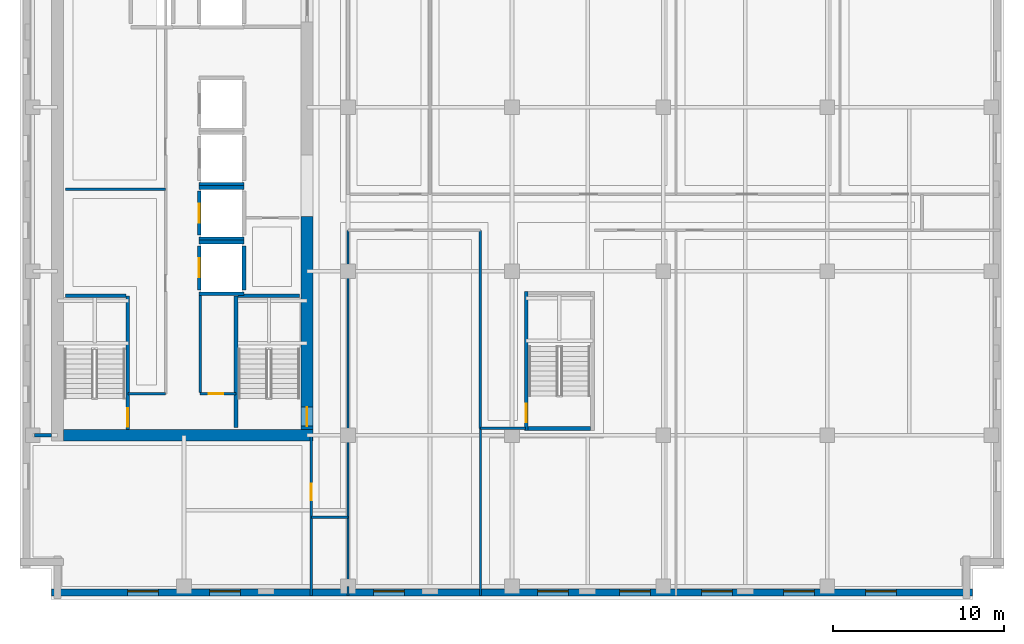
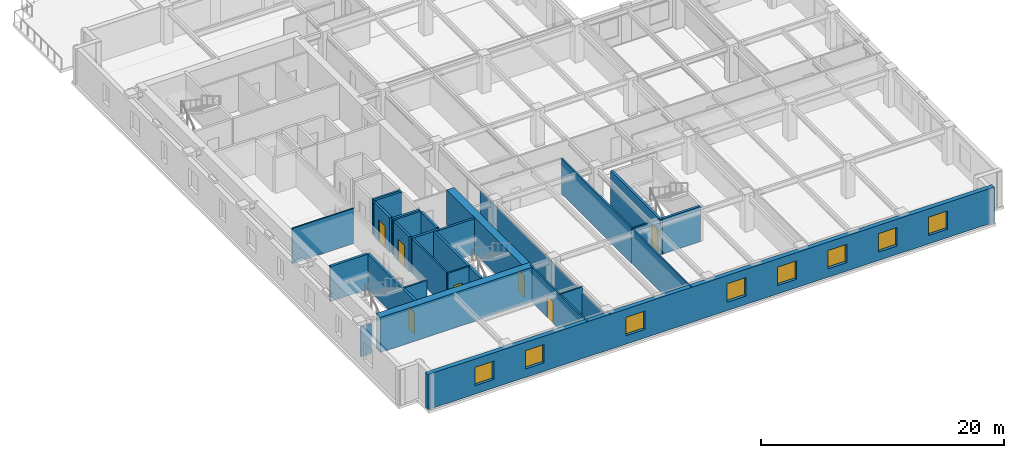
# One storey, part 3 of 12: 29 walls, 8 windows, 7 doors, 15 openings.
"""IFC4 building model written with IfcOpenShell, lengths in metres."""

from ifc_helpers import new_model, si_unit, direction, frame, frame_2d, origin, place, context, subcontext, project, spatial, rectangle, extrude, material, layer, layer_set, type_object, element, fill, save


model = new_model("IFC4")

# Units and contexts
model_context = context("Model", 3, precision=1e-05, world=origin(), true_north=direction((0.0, 1.0)))
body_context = subcontext(model_context, "Body", "Model", "MODEL_VIEW")
ifc_project = project(units=[si_unit("LENGTHUNIT", "METRE"), si_unit("AREAUNIT", "SQUARE_METRE"), si_unit("VOLUMEUNIT", "CUBIC_METRE"), si_unit("PLANEANGLEUNIT", "RADIAN"), si_unit("MASSUNIT", "GRAM", prefix="KILO")], contexts=[model_context])

# Site, building, storey
site_placement = place(None, origin())
site = spatial("IfcSite", under=ifc_project, at=site_placement, CompositionType="ELEMENT")
building_placement = place(site_placement, origin())
building = spatial("IfcBuilding", under=site, at=building_placement, Name="Norrvale University Quadrangle", CompositionType="ELEMENT")
storey_placement = place(building_placement, frame((0.0, 0.0, 199.0)))
storey = spatial("IfcBuildingStorey", under=building, at=storey_placement, Name="L50", CompositionType="ELEMENT", Elevation=199.0)

# Wall, openings, windows
ifc_material_1 = material(Name="Buff Norman Clay Brick Masonry", Category="masonry")
ifc_layer_1 = layer(ifc_material_1, 0.419921875, Name="Buff Norman Clay Brick Masonry")
ifc_layer_set_1 = layer_set([ifc_layer_1], Name="Buff Norman Clay Brick Masonry")
wall_type_1 = type_object("IfcWallType", Name="Wall Buff Brick 420", PredefinedType="SOLIDWALL", material=ifc_layer_set_1)
wall_1_placement = place(storey_placement, frame((1.840087890625, 0.389892578125, 0.0), z_axis=(0.0, 0.0, 1.0), x_axis=(1.0, 0.0, 0.0)))
wall_1 = element("IfcWall", 1, at=wall_1_placement, inside=storey, type_object=wall_type_1, Name="Exterior Brick Facade Wall L50-01.1", PredefinedType="SOLIDWALL", context=body_context, shape_type="SweptSolid", body=[
    extrude(rectangle(XDim=53.919921875, YDim=0.419921875, at=frame_2d((26.9599609375, 0.0))), origin(), (0.0, 0.0, 1.0), 3.5400390625),
])
opening_1_placement = place(wall_1_placement, frame((4.4599609375, 0.0, 0.85009765625)))
opening_1 = element("IfcOpeningElement", 2, at=opening_1_placement, cuts=wall_1, Name="Opening W01", PredefinedType="OPENING", context=body_context, shape_type="SweptSolid", body=[
    extrude(rectangle(XDim=1.800048828125, YDim=1.85009765625, at=frame_2d((0.89990234375, 0.925048828125))), frame((0.0, 0.221923828125, 0.0), z_axis=(0.0, -1.0, 0.0), x_axis=(1.0, 0.0, 0.0)), (0.0, 0.0, 1.0), 0.44384765625),
])
opening_2_placement = place(wall_1_placement, frame((9.260009765625, 0.0, 0.85009765625)))
opening_2 = element("IfcOpeningElement", 3, at=opening_2_placement, cuts=wall_1, Name="Opening W01", PredefinedType="OPENING", context=body_context, shape_type="SweptSolid", body=[
    extrude(rectangle(XDim=1.800048828125, YDim=1.85009765625, at=frame_2d((0.89990234375, 0.925048828125))), frame((0.0, 0.221923828125, 0.0), z_axis=(0.0, -1.0, 0.0), x_axis=(1.0, 0.0, 0.0)), (0.0, 0.0, 1.0), 0.44384765625),
])
opening_3_placement = place(wall_1_placement, frame((18.860107421875, 0.0, 0.85009765625)))
opening_3 = element("IfcOpeningElement", 4, at=opening_3_placement, cuts=wall_1, Name="Opening W01", PredefinedType="OPENING", context=body_context, shape_type="SweptSolid", body=[
    extrude(rectangle(XDim=1.800048828125, YDim=1.85009765625, at=frame_2d((0.89990234375, 0.925048828125))), frame((0.0, 0.221923828125, 0.0), z_axis=(0.0, -1.0, 0.0), x_axis=(1.0, 0.0, 0.0)), (0.0, 0.0, 1.0), 0.44384765625),
])
opening_4_placement = place(wall_1_placement, frame((28.4599609375, 0.0, 0.85009765625)))
opening_4 = element("IfcOpeningElement", 5, at=opening_4_placement, cuts=wall_1, Name="Opening W01", PredefinedType="OPENING", context=body_context, shape_type="SweptSolid", body=[
    extrude(rectangle(XDim=1.800048828125, YDim=1.85009765625, at=frame_2d((0.89990234375, 0.925048828125))), frame((0.0, 0.221923828125, 0.0), z_axis=(0.0, -1.0, 0.0), x_axis=(1.0, 0.0, 0.0)), (0.0, 0.0, 1.0), 0.44384765625),
])
opening_5_placement = place(wall_1_placement, frame((33.260009765625, 0.0, 0.85009765625)))
opening_5 = element("IfcOpeningElement", 6, at=opening_5_placement, cuts=wall_1, Name="Opening W01", PredefinedType="OPENING", context=body_context, shape_type="SweptSolid", body=[
    extrude(rectangle(XDim=1.800048828125, YDim=1.85009765625, at=frame_2d((0.89990234375, 0.925048828125))), frame((0.0, 0.221923828125, 0.0), z_axis=(0.0, -1.0, 0.0), x_axis=(1.0, 0.0, 0.0)), (0.0, 0.0, 1.0), 0.44384765625),
])
opening_6_placement = place(wall_1_placement, frame((38.06005859375, 0.0, 0.85009765625)))
opening_6 = element("IfcOpeningElement", 7, at=opening_6_placement, cuts=wall_1, Name="Opening W01", PredefinedType="OPENING", context=body_context, shape_type="SweptSolid", body=[
    extrude(rectangle(XDim=1.800048828125, YDim=1.85009765625, at=frame_2d((0.89990234375, 0.925048828125))), frame((0.0, 0.221923828125, 0.0), z_axis=(0.0, -1.0, 0.0), x_axis=(1.0, 0.0, 0.0)), (0.0, 0.0, 1.0), 0.44384765625),
])
opening_7_placement = place(wall_1_placement, frame((42.860107421875, 0.0, 0.85009765625)))
opening_7 = element("IfcOpeningElement", 8, at=opening_7_placement, cuts=wall_1, Name="Opening W01", PredefinedType="OPENING", context=body_context, shape_type="SweptSolid", body=[
    extrude(rectangle(XDim=1.800048828125, YDim=1.85009765625, at=frame_2d((0.89990234375, 0.925048828125))), frame((0.0, 0.221923828125, 0.0), z_axis=(0.0, -1.0, 0.0), x_axis=(1.0, 0.0, 0.0)), (0.0, 0.0, 1.0), 0.44384765625),
])
opening_8_placement = place(wall_1_placement, frame((47.659912109375, 0.0, 0.85009765625)))
opening_8 = element("IfcOpeningElement", 9, at=opening_8_placement, cuts=wall_1, Name="Opening W01", PredefinedType="OPENING", context=body_context, shape_type="SweptSolid", body=[
    extrude(rectangle(XDim=1.800048828125, YDim=1.85009765625, at=frame_2d((0.89990234375, 0.925048828125))), frame((0.0, 0.221923828125, 0.0), z_axis=(0.0, -1.0, 0.0), x_axis=(1.0, 0.0, 0.0)), (0.0, 0.0, 1.0), 0.44384765625),
])
ifc_material_2 = material(Name="Triple Low-E Argon Glazing", Category="glass")
window_type = type_object("IfcWindowType", Name="Window Academic 1800x2300", PartitioningType="DOUBLE_PANEL_VERTICAL", PredefinedType="WINDOW", material=ifc_material_2)
window_1_placement = place(opening_1_placement, origin())
window_1 = element("IfcWindow", 10, at=window_1_placement, inside=storey, type_object=window_type, Name="Window Academic 1800x2300 WIN-L50-E01-1-01", OverallHeight=1.85009765625, OverallWidth=1.800048828125, PartitioningType="DOUBLE_PANEL_VERTICAL", PredefinedType="WINDOW", context=body_context, shape_type="SweptSolid", body=[
    extrude(rectangle(XDim=1.800048828125, YDim=1.85009765625, at=frame_2d((0.89990234375, 0.925048828125))), frame((0.0, 0.110107421875, 0.0), z_axis=(0.0, -1.0, 0.0), x_axis=(1.0, 0.0, 0.0)), (0.0, 0.0, 1.0), 0.06005859375),
])
fill(opening_1, window_1)
window_2_placement = place(opening_2_placement, origin())
window_2 = element("IfcWindow", 11, at=window_2_placement, inside=storey, type_object=window_type, Name="Window Academic 1800x2300 WIN-L50-E01-1-02", OverallHeight=1.85009765625, OverallWidth=1.800048828125, PartitioningType="DOUBLE_PANEL_VERTICAL", PredefinedType="WINDOW", context=body_context, shape_type="SweptSolid", body=[
    extrude(rectangle(XDim=1.800048828125, YDim=1.85009765625, at=frame_2d((0.89990234375, 0.925048828125))), frame((0.0, 0.110107421875, 0.0), z_axis=(0.0, -1.0, 0.0), x_axis=(1.0, 0.0, 0.0)), (0.0, 0.0, 1.0), 0.06005859375),
])
fill(opening_2, window_2)
window_3_placement = place(opening_3_placement, origin())
window_3 = element("IfcWindow", 12, at=window_3_placement, inside=storey, type_object=window_type, Name="Window Academic 1800x2300 WIN-L50-E01-1-03", OverallHeight=1.85009765625, OverallWidth=1.800048828125, PartitioningType="DOUBLE_PANEL_VERTICAL", PredefinedType="WINDOW", context=body_context, shape_type="SweptSolid", body=[
    extrude(rectangle(XDim=1.800048828125, YDim=1.85009765625, at=frame_2d((0.89990234375, 0.925048828125))), frame((0.0, 0.110107421875, 0.0), z_axis=(0.0, -1.0, 0.0), x_axis=(1.0, 0.0, 0.0)), (0.0, 0.0, 1.0), 0.06005859375),
])
fill(opening_3, window_3)
window_4_placement = place(opening_4_placement, origin())
window_4 = element("IfcWindow", 13, at=window_4_placement, inside=storey, type_object=window_type, Name="Window Academic 1800x2300 WIN-L50-E01-1-04", OverallHeight=1.85009765625, OverallWidth=1.800048828125, PartitioningType="DOUBLE_PANEL_VERTICAL", PredefinedType="WINDOW", context=body_context, shape_type="SweptSolid", body=[
    extrude(rectangle(XDim=1.800048828125, YDim=1.85009765625, at=frame_2d((0.89990234375, 0.925048828125))), frame((0.0, 0.110107421875, 0.0), z_axis=(0.0, -1.0, 0.0), x_axis=(1.0, 0.0, 0.0)), (0.0, 0.0, 1.0), 0.06005859375),
])
fill(opening_4, window_4)
window_5_placement = place(opening_5_placement, origin())
window_5 = element("IfcWindow", 14, at=window_5_placement, inside=storey, type_object=window_type, Name="Window Academic 1800x2300 WIN-L50-E01-1-05", OverallHeight=1.85009765625, OverallWidth=1.800048828125, PartitioningType="DOUBLE_PANEL_VERTICAL", PredefinedType="WINDOW", context=body_context, shape_type="SweptSolid", body=[
    extrude(rectangle(XDim=1.800048828125, YDim=1.85009765625, at=frame_2d((0.89990234375, 0.925048828125))), frame((0.0, 0.110107421875, 0.0), z_axis=(0.0, -1.0, 0.0), x_axis=(1.0, 0.0, 0.0)), (0.0, 0.0, 1.0), 0.06005859375),
])
fill(opening_5, window_5)
window_6_placement = place(opening_6_placement, origin())
window_6 = element("IfcWindow", 15, at=window_6_placement, inside=storey, type_object=window_type, Name="Window Academic 1800x2300 WIN-L50-E01-1-06", OverallHeight=1.85009765625, OverallWidth=1.800048828125, PartitioningType="DOUBLE_PANEL_VERTICAL", PredefinedType="WINDOW", context=body_context, shape_type="SweptSolid", body=[
    extrude(rectangle(XDim=1.800048828125, YDim=1.85009765625, at=frame_2d((0.89990234375, 0.925048828125))), frame((0.0, 0.110107421875, 0.0), z_axis=(0.0, -1.0, 0.0), x_axis=(1.0, 0.0, 0.0)), (0.0, 0.0, 1.0), 0.06005859375),
])
fill(opening_6, window_6)
window_7_placement = place(opening_7_placement, origin())
window_7 = element("IfcWindow", 16, at=window_7_placement, inside=storey, type_object=window_type, Name="Window Academic 1800x2300 WIN-L50-E01-1-07", OverallHeight=1.85009765625, OverallWidth=1.800048828125, PartitioningType="DOUBLE_PANEL_VERTICAL", PredefinedType="WINDOW", context=body_context, shape_type="SweptSolid", body=[
    extrude(rectangle(XDim=1.800048828125, YDim=1.85009765625, at=frame_2d((0.89990234375, 0.925048828125))), frame((0.0, 0.110107421875, 0.0), z_axis=(0.0, -1.0, 0.0), x_axis=(1.0, 0.0, 0.0)), (0.0, 0.0, 1.0), 0.06005859375),
])
fill(opening_7, window_7)
window_8_placement = place(opening_8_placement, origin())
window_8 = element("IfcWindow", 17, at=window_8_placement, inside=storey, type_object=window_type, Name="Window Academic 1800x2300 WIN-L50-E01-1-08", OverallHeight=1.85009765625, OverallWidth=1.800048828125, PartitioningType="DOUBLE_PANEL_VERTICAL", PredefinedType="WINDOW", context=body_context, shape_type="SweptSolid", body=[
    extrude(rectangle(XDim=1.800048828125, YDim=1.85009765625, at=frame_2d((0.89990234375, 0.925048828125))), frame((0.0, 0.110107421875, 0.0), z_axis=(0.0, -1.0, 0.0), x_axis=(1.0, 0.0, 0.0)), (0.0, 0.0, 1.0), 0.06005859375),
])
fill(opening_8, window_8)

# Wall
ifc_material_3 = material(Name="Concrete C60/75", Category="concrete")
ifc_layer_2 = layer(ifc_material_3, 0.699951171875, Name="Concrete C60/75")
ifc_layer_set_2 = layer_set([ifc_layer_2], Name="Concrete C60/75")
wall_type_2 = type_object("IfcWallType", Name="Wall Core 700", PredefinedType="SHEAR", material=ifc_layer_set_2)
wall_2_placement = place(storey_placement, frame((2.550048828125, 9.60009765625, 0.0), z_axis=(0.0, 0.0, 1.0), x_axis=(1.0, 0.0, 0.0)))
element("IfcWall", 18, at=wall_2_placement, inside=storey, type_object=wall_type_2, Name="Tower Core Shear Wall L50-S", PredefinedType="SHEAR", context=body_context, shape_type="SweptSolid", body=[
    extrude(rectangle(XDim=14.599853515625, YDim=0.699951171875, at=frame_2d((7.2998046875, 0.0))), origin(), (0.0, 0.0, 1.0), 3.5400390625),
])

# Wall, opening, door
wall_3_placement = place(storey_placement, frame((16.800048828125, 9.949951171875, 0.0), z_axis=(0.0, 0.0, 1.0), x_axis=(0.0, 1.0, 0.0)))
wall_3 = element("IfcWall", 19, at=wall_3_placement, inside=storey, type_object=wall_type_2, Name="Tower Core Shear Wall L50-E1", PredefinedType="SHEAR", context=body_context, shape_type="SweptSolid", body=[
    extrude(rectangle(XDim=12.449951171875, YDim=0.699951171875, at=frame_2d((6.22509765625, 0.0))), origin(), (0.0, 0.0, 1.0), 3.5400390625),
])
opening_9_placement = place(wall_3_placement, frame((0.18994140625, 0.0, 0.0)))
opening_9 = element("IfcOpeningElement", 20, at=opening_9_placement, cuts=wall_3, Name="Opening D02", PredefinedType="OPENING", context=body_context, shape_type="SweptSolid", body=[
    extrude(rectangle(XDim=1.10009765625, YDim=2.199951171875, at=frame_2d((0.550048828125, 1.10009765625))), frame((0.0, 0.362060546875, 0.0), z_axis=(0.0, -1.0, 0.0), x_axis=(1.0, 0.0, 0.0)), (0.0, 0.0, 1.0), 0.723876953125),
])
ifc_material_4 = material(Name="Hollow Steel 350W Fire Door", Category="steel")
door_type_1 = type_object("IfcDoorType", Name="Door Stair Exit 1100x2200", OperationType="NOTDEFINED", PredefinedType="DOOR", material=ifc_material_4)
door_1_placement = place(opening_9_placement, origin())
door_1 = element("IfcDoor", 21, at=door_1_placement, inside=storey, type_object=door_type_1, Name="Door Stair Exit 1100x2200 DR-L50-ST03", OperationType="SINGLE_SWING_LEFT", OverallHeight=2.199951171875, OverallWidth=1.10009765625, PredefinedType="DOOR", context=body_context, shape_type="SweptSolid", body=[
    extrude(rectangle(XDim=1.10009765625, YDim=2.199951171875, at=frame_2d((0.550048828125, 1.10009765625))), frame((0.0, 0.02490234375, 0.0), z_axis=(0.0, -1.0, 0.0), x_axis=(1.0, 0.0, 0.0)), (0.0, 0.0, 1.0), 0.050048828125),
])
fill(opening_9, door_1)

# Walls
ifc_material_5 = material(Name="Standard Academic Gypsum Partition")
ifc_layer_3 = layer(ifc_material_5, 0.125, Name="Standard Academic Gypsum Partition")
ifc_layer_set_3 = layer_set([ifc_layer_3], Name="Standard Academic Gypsum Partition")
wall_type_3 = type_object("IfcWallType", Name="Wall Gypsum Academic 125", PredefinedType="PARTITIONING", material=ifc_layer_set_3)
wall_4_placement = place(storey_placement, frame((2.64990234375, 24.0, 0.0), z_axis=(0.0, 0.0, 1.0), x_axis=(1.0, 0.0, 0.0)))
element("IfcWall", 22, at=wall_4_placement, inside=storey, type_object=wall_type_3, Name="Interior Partition WL-L50-REC-M", PredefinedType="PARTITIONING", context=body_context, shape_type="SweptSolid", body=[
    extrude(rectangle(XDim=5.8701171875, YDim=0.125, at=frame_2d((2.93505859375, 0.0))), origin(), (0.0, 0.0, 1.0), 3.5400390625),
])
wall_5_placement = place(storey_placement, frame((19.199951171875, 0.219970703125, 0.0), z_axis=(0.0, 0.0, 1.0), x_axis=(0.0, 1.0, 0.0)))
element("IfcWall", 23, at=wall_5_placement, inside=storey, type_object=wall_type_3, Name="Interior Partition WL-L50-SE-W0", PredefinedType="PARTITIONING", context=body_context, shape_type="SweptSolid", body=[
    extrude(rectangle(XDim=0.530029296875, YDim=0.125, at=frame_2d((0.26513671875, 0.0))), origin(), (0.0, 0.0, 1.0), 3.5400390625),
])
wall_6_placement = place(storey_placement, frame((19.199951171875, 0.75, 0.0), z_axis=(0.0, 0.0, 1.0), x_axis=(0.0, 1.0, 0.0)))
element("IfcWall", 24, at=wall_6_placement, inside=storey, type_object=wall_type_3, Name="Interior Partition WL-L50-SE-W0-B2", PredefinedType="PARTITIONING", context=body_context, shape_type="SweptSolid", body=[
    extrude(rectangle(XDim=20.85009765625, YDim=0.125, at=frame_2d((10.425048828125, 0.0))), origin(), (0.0, 0.0, 1.0), 2.99609375),
])
wall_7_placement = place(storey_placement, frame((26.949951171875, 0.219970703125, 0.0), z_axis=(0.0, 0.0, 1.0), x_axis=(0.0, 1.0, 0.0)))
element("IfcWall", 25, at=wall_7_placement, inside=storey, type_object=wall_type_3, Name="Interior Partition WL-L50-SEP1A", PredefinedType="PARTITIONING", context=body_context, shape_type="SweptSolid", body=[
    extrude(rectangle(XDim=9.780029296875, YDim=0.125, at=frame_2d((4.89013671875, 0.0))), origin(), (0.0, 0.0, 1.0), 3.5400390625),
])

# Wall, opening, door
ifc_material_6 = material(Name="Fire-Rated Gypsum Stud Partition")
ifc_layer_4 = layer(ifc_material_6, 0.14990234375, Name="Fire-Rated Gypsum Stud Partition")
ifc_layer_set_4 = layer_set([ifc_layer_4], Name="Fire-Rated Gypsum Stud Partition")
wall_type_4 = type_object("IfcWallType", Name="Wall Gypsum Corridor 150", PredefinedType="PARTITIONING", material=ifc_layer_set_4)
wall_8_placement = place(storey_placement, frame((10.550048828125, 12.02001953125, 0.0), z_axis=(0.0, 0.0, 1.0), x_axis=(1.0, 0.0, 0.0)))
wall_8 = element("IfcWall", 26, at=wall_8_placement, inside=storey, type_object=wall_type_4, Name="Interior Partition WL-L50-SC-NR", PredefinedType="PARTITIONING", context=body_context, shape_type="SweptSolid", body=[
    extrude(rectangle(XDim=2.079833984375, YDim=0.14990234375, at=frame_2d((1.0400390625, 0.0))), origin(), (0.0, 0.0, 1.0), 3.5400390625),
])
opening_10_placement = place(wall_8_placement, frame((0.5, 0.0, 0.0)))
opening_10 = element("IfcOpeningElement", 27, at=opening_10_placement, cuts=wall_8, Name="Opening D10", PredefinedType="OPENING", context=body_context, shape_type="SweptSolid", body=[
    extrude(rectangle(XDim=0.85009765625, YDim=2.10009765625, at=frame_2d((0.425048828125, 1.050048828125))), frame((0.0, 0.0869140625, 0.0), z_axis=(0.0, -1.0, 0.0), x_axis=(1.0, 0.0, 0.0)), (0.0, 0.0, 1.0), 0.173828125),
])
ifc_material_7 = material(Name="Hollow Steel 350W Riser Fire Door", Category="steel")
door_type_2 = type_object("IfcDoorType", Name="Door Riser 850x2100", OperationType="NOTDEFINED", PredefinedType="DOOR", material=ifc_material_7)
door_2_placement = place(opening_10_placement, origin())
door_2 = element("IfcDoor", 28, at=door_2_placement, inside=storey, type_object=door_type_2, Name="Door Riser 850x2100 DR-L50-IDF", OperationType="SINGLE_SWING_RIGHT", OverallHeight=2.10009765625, OverallWidth=0.85009765625, PredefinedType="DOOR", context=body_context, shape_type="SweptSolid", body=[
    extrude(rectangle(XDim=0.85009765625, YDim=2.10009765625, at=frame_2d((0.425048828125, 1.050048828125))), frame((0.0, 0.02490234375, 0.0), z_axis=(0.0, -1.0, 0.0), x_axis=(1.0, 0.0, 0.0)), (0.0, 0.0, 1.0), 0.050048828125),
])
fill(opening_10, door_2)

# Walls
wall_9_placement = place(storey_placement, frame((10.550048828125, 12.094970703125, 0.0), z_axis=(0.0, 0.0, 1.0), x_axis=(0.0, 1.0, 0.0)))
element("IfcWall", 29, at=wall_9_placement, inside=storey, type_object=wall_type_4, Name="Interior Partition WL-L50-SC-WR", PredefinedType="PARTITIONING", context=body_context, shape_type="SweptSolid", body=[
    extrude(rectangle(XDim=5.679931640625, YDim=0.14990234375, at=frame_2d((2.83984375, 0.0))), origin(), (0.0, 0.0, 1.0), 3.5400390625),
])
wall_10_placement = place(storey_placement, frame((6.320068359375, 12.02001953125, 0.0), z_axis=(0.0, 0.0, 1.0), x_axis=(1.0, 0.0, 0.0)))
element("IfcWall", 30, at=wall_10_placement, inside=storey, type_object=wall_type_4, Name="Interior Partition WL-L50-REC-S", PredefinedType="PARTITIONING", context=body_context, shape_type="SweptSolid", body=[
    extrude(rectangle(XDim=2.199951171875, YDim=0.14990234375, at=frame_2d((1.10009765625, 0.0))), origin(), (0.0, 0.0, 1.0), 3.5400390625),
])
wall_11_placement = place(storey_placement, frame((17.050048828125, 4.800048828125, 0.0), z_axis=(0.0, 0.0, 1.0), x_axis=(1.0, 0.0, 0.0)))
element("IfcWall", 31, at=wall_11_placement, inside=storey, type_object=wall_type_4, Name="Interior Partition WL-L50-CSP-S", PredefinedType="PARTITIONING", context=body_context, shape_type="SweptSolid", body=[
    extrude(rectangle(XDim=2.14990234375, YDim=0.14990234375, at=frame_2d((1.074951171875, 0.0))), origin(), (0.0, 0.0, 1.0), 3.5400390625),
])

# Wall, opening, door
wall_12_placement = place(storey_placement, frame((17.050048828125, 0.219970703125, 0.0), z_axis=(0.0, 0.0, 1.0), x_axis=(0.0, 1.0, 0.0)))
wall_12 = element("IfcWall", 32, at=wall_12_placement, inside=storey, type_object=wall_type_4, Name="Interior Partition WL-L50-SW-E", PredefinedType="PARTITIONING", context=body_context, shape_type="SweptSolid", body=[
    extrude(rectangle(XDim=9.380126953125, YDim=0.14990234375, at=frame_2d((4.68994140625, 0.0))), origin(), (0.0, 0.0, 1.0), 3.5400390625),
])
opening_11_placement = place(wall_12_placement, frame((5.580078125, 0.0, 0.0)))
opening_11 = element("IfcOpeningElement", 33, at=opening_11_placement, cuts=wall_12, Name="Opening D07", PredefinedType="OPENING", context=body_context, shape_type="SweptSolid", body=[
    extrude(rectangle(XDim=0.949951171875, YDim=2.14990234375, at=frame_2d((0.47509765625, 1.074951171875))), frame((0.0, 0.0869140625, 0.0), z_axis=(0.0, -1.0, 0.0), x_axis=(1.0, 0.0, 0.0)), (0.0, 0.0, 1.0), 0.173828125),
])
ifc_material_8 = material(Name="Solid-Core Maple Door", Category="wood")
door_type_3 = type_object("IfcDoorType", Name="Door Office 950x2150", OperationType="NOTDEFINED", PredefinedType="DOOR", material=ifc_material_8)
door_3_placement = place(opening_11_placement, origin())
door_3 = element("IfcDoor", 34, at=door_3_placement, inside=storey, type_object=door_type_3, Name="Door Office 950x2150 DR-L50-SW1", OperationType="SINGLE_SWING_LEFT", OverallHeight=2.14990234375, OverallWidth=0.949951171875, PredefinedType="DOOR", context=body_context, shape_type="SweptSolid", body=[
    extrude(rectangle(XDim=0.949951171875, YDim=2.14990234375, at=frame_2d((0.47509765625, 1.074951171875))), frame((0.0, 0.02490234375, 0.0), z_axis=(0.0, -1.0, 0.0), x_axis=(1.0, 0.0, 0.0)), (0.0, 0.0, 1.0), 0.050048828125),
])
fill(opening_11, door_3)

# Walls
wall_13_placement = place(storey_placement, frame((26.949951171875, 10.0, 0.0), z_axis=(0.0, 0.0, 1.0), x_axis=(0.0, 1.0, 0.0)))
element("IfcWall", 35, at=wall_13_placement, inside=storey, type_object=wall_type_4, Name="Interior Partition WL-L50-SEP1B", PredefinedType="PARTITIONING", context=body_context, shape_type="SweptSolid", body=[
    extrude(rectangle(XDim=11.60009765625, YDim=0.14990234375, at=frame_2d((5.800048828125, 0.0))), origin(), (0.0, 0.0, 1.0), 3.5400390625),
])
wall_14_placement = place(storey_placement, frame((26.949951171875, 10.0, 0.0), z_axis=(0.0, 0.0, 1.0), x_axis=(1.0, 0.0, 0.0)))
element("IfcWall", 36, at=wall_14_placement, inside=storey, type_object=wall_type_4, Name="Interior Partition WL-L50-SEP1C", PredefinedType="PARTITIONING", context=body_context, shape_type="SweptSolid", body=[
    extrude(rectangle(XDim=2.630126953125, YDim=0.14990234375, at=frame_2d((1.31494140625, 0.0))), origin(), (0.0, 0.0, 1.0), 3.5400390625),
])
ifc_material_9 = material(Name="Concrete Blockwork 20 MPa Rated Wall", Category="masonry")
ifc_layer_5 = layer(ifc_material_9, 0.199951171875, Name="Concrete Blockwork 20 MPa Rated Wall")
ifc_layer_set_5 = layer_set([ifc_layer_5], Name="Concrete Blockwork 20 MPa Rated Wall")
wall_type_5 = type_object("IfcWallType", Name="Wall Lobby 200", PredefinedType="SOLIDWALL", material=ifc_layer_set_5)
wall_15_placement = place(storey_placement, frame((0.85009765625, 9.60009765625, 0.0), z_axis=(0.0, 0.0, 1.0), x_axis=(1.0, 0.0, 0.0)))
element("IfcWall", 37, at=wall_15_placement, inside=storey, type_object=wall_type_5, Name="Interior Partition WL-L50-CWRET-S", PredefinedType="SOLIDWALL", context=body_context, shape_type="SweptSolid", body=[
    extrude(rectangle(XDim=0.994873046875, YDim=0.199951171875, at=frame_2d((0.49755859375, 0.0))), origin(), (0.0, 0.0, 1.0), 2.99609375),
])

# Wall, opening, door
ifc_material_10 = material(Name="Concrete Blockwork 20 MPa Fire Shaft", Category="masonry")
ifc_layer_6 = layer(ifc_material_10, 0.219970703125, Name="Concrete Blockwork 20 MPa Fire Shaft")
ifc_layer_set_6 = layer_set([ifc_layer_6], Name="Concrete Blockwork 20 MPa Fire Shaft")
wall_type_6 = type_object("IfcWallType", Name="Wall Shaft 220", PredefinedType="SOLIDWALL", material=ifc_layer_set_6)
wall_16_placement = place(storey_placement, frame((6.31005859375, 9.949951171875, 0.0), z_axis=(0.0, 0.0, 1.0), x_axis=(0.0, 1.0, 0.0)))
wall_16 = element("IfcWall", 38, at=wall_16_placement, inside=storey, type_object=wall_type_6, Name="Stair ST-01 East Shaft Wall L50", PredefinedType="SOLIDWALL", context=body_context, shape_type="SweptSolid", body=[
    extrude(rectangle(XDim=7.81005859375, YDim=0.219970703125, at=frame_2d((3.905029296875, 0.0))), origin(), (0.0, 0.0, 1.0), 3.5400390625),
])
opening_12_placement = place(wall_16_placement, frame((0.139892578125, 0.0, 0.0)))
opening_12 = element("IfcOpeningElement", 39, at=opening_12_placement, cuts=wall_16, Name="Opening D02", PredefinedType="OPENING", context=body_context, shape_type="SweptSolid", body=[
    extrude(rectangle(XDim=1.10009765625, YDim=2.199951171875, at=frame_2d((0.550048828125, 1.10009765625))), frame((0.0, 0.1220703125, 0.0), z_axis=(0.0, -1.0, 0.0), x_axis=(1.0, 0.0, 0.0)), (0.0, 0.0, 1.0), 0.243896484375),
])
door_4_placement = place(opening_12_placement, origin())
door_4 = element("IfcDoor", 40, at=door_4_placement, inside=storey, type_object=door_type_1, Name="Door Stair Exit 1100x2200 DR-L50-ST01", OperationType="SINGLE_SWING_LEFT", OverallHeight=2.199951171875, OverallWidth=1.10009765625, PredefinedType="DOOR", context=body_context, shape_type="SweptSolid", body=[
    extrude(rectangle(XDim=1.10009765625, YDim=2.199951171875, at=frame_2d((0.550048828125, 1.10009765625))), frame((0.0, 0.02490234375, 0.0), z_axis=(0.0, -1.0, 0.0), x_axis=(1.0, 0.0, 0.0)), (0.0, 0.0, 1.0), 0.050048828125),
])
fill(opening_12, door_4)

# Walls
wall_17_placement = place(storey_placement, frame((2.64990234375, 17.760009765625, 0.0), z_axis=(0.0, 0.0, 1.0), x_axis=(1.0, 0.0, 0.0)))
element("IfcWall", 41, at=wall_17_placement, inside=storey, type_object=wall_type_6, Name="Stair ST-01 North Shaft Wall L50", PredefinedType="SOLIDWALL", context=body_context, shape_type="SweptSolid", body=[
    extrude(rectangle(XDim=3.550048828125, YDim=0.219970703125, at=frame_2d((1.77490234375, 0.0))), origin(), (0.0, 0.0, 1.0), 3.5400390625),
])
wall_18_placement = place(storey_placement, frame((12.639892578125, 10.050048828125, 0.0), z_axis=(0.0, 0.0, 1.0), x_axis=(0.0, 1.0, 0.0)))
element("IfcWall", 42, at=wall_18_placement, inside=storey, type_object=wall_type_6, Name="Stair ST-03 West Shaft Wall L50", PredefinedType="SOLIDWALL", context=body_context, shape_type="SweptSolid", body=[
    extrude(rectangle(XDim=7.7099609375, YDim=0.219970703125, at=frame_2d((3.85498046875, 0.0))), origin(), (0.0, 0.0, 1.0), 3.5400390625),
])
wall_19_placement = place(storey_placement, frame((12.75, 17.760009765625, 0.0), z_axis=(0.0, 0.0, 1.0), x_axis=(1.0, 0.0, 0.0)))
element("IfcWall", 43, at=wall_19_placement, inside=storey, type_object=wall_type_6, Name="Stair ST-03 North Shaft Wall L50", PredefinedType="SOLIDWALL", context=body_context, shape_type="SweptSolid", body=[
    extrude(rectangle(XDim=3.60009765625, YDim=0.219970703125, at=frame_2d((1.800048828125, 0.0))), origin(), (0.0, 0.0, 1.0), 3.5400390625),
])
wall_20_placement = place(storey_placement, frame((29.75, 9.989990234375, 0.0), z_axis=(0.0, 0.0, 1.0), x_axis=(1.0, 0.0, 0.0)))
element("IfcWall", 44, at=wall_20_placement, inside=storey, type_object=wall_type_6, Name="Stair ST-04 South Shaft Wall L50", PredefinedType="SOLIDWALL", context=body_context, shape_type="SweptSolid", body=[
    extrude(rectangle(XDim=3.64990234375, YDim=0.219970703125, at=frame_2d((1.824951171875, 0.0))), origin(), (0.0, 0.0, 1.0), 3.5400390625),
])

# Wall, opening, door
wall_21_placement = place(storey_placement, frame((29.639892578125, 9.8798828125, 0.0), z_axis=(0.0, 0.0, 1.0), x_axis=(0.0, 1.0, 0.0)))
wall_21 = element("IfcWall", 45, at=wall_21_placement, inside=storey, type_object=wall_type_6, Name="Stair ST-04 West Shaft Wall L50", PredefinedType="SOLIDWALL", context=body_context, shape_type="SweptSolid", body=[
    extrude(rectangle(XDim=8.14013671875, YDim=0.219970703125, at=frame_2d((4.070068359375, 0.0))), origin(), (0.0, 0.0, 1.0), 3.5400390625),
])
opening_13_placement = place(wall_21_placement, frame((0.469970703125, 0.0, 0.0)))
opening_13 = element("IfcOpeningElement", 46, at=opening_13_placement, cuts=wall_21, Name="Opening D02", PredefinedType="OPENING", context=body_context, shape_type="SweptSolid", body=[
    extrude(rectangle(XDim=1.10009765625, YDim=2.199951171875, at=frame_2d((0.550048828125, 1.10009765625))), frame((0.0, 0.1220703125, 0.0), z_axis=(0.0, -1.0, 0.0), x_axis=(1.0, 0.0, 0.0)), (0.0, 0.0, 1.0), 0.243896484375),
])
door_5_placement = place(opening_13_placement, frame((1.10009765625, 0.0, 0.0), z_axis=(0.0, 0.0, 1.0), x_axis=(-1.0, 0.0, 0.0)))
door_5 = element("IfcDoor", 47, at=door_5_placement, inside=storey, type_object=door_type_1, Name="Door Stair Exit 1100x2200 DR-L50-ST04", OperationType="SINGLE_SWING_RIGHT", OverallHeight=2.199951171875, OverallWidth=1.10009765625, PredefinedType="DOOR", context=body_context, shape_type="SweptSolid", body=[
    extrude(rectangle(XDim=1.10009765625, YDim=2.199951171875, at=frame_2d((0.550048828125, 1.10009765625))), frame((0.0, 0.02490234375, 0.0), z_axis=(0.0, -1.0, 0.0), x_axis=(1.0, 0.0, 0.0)), (0.0, 0.0, 1.0), 0.050048828125),
])
fill(opening_13, door_5)

wall_22_placement = place(storey_placement, frame((10.489990234375, 18.110107421875, 0.0), z_axis=(0.0, 0.0, 1.0), x_axis=(0.0, 1.0, 0.0)))
wall_22 = element("IfcWall", 48, at=wall_22_placement, inside=storey, type_object=wall_type_6, Name="Hoistway PL-05 West Wall L50", PredefinedType="SOLIDWALL", context=body_context, shape_type="SweptSolid", body=[
    extrude(rectangle(XDim=2.579833984375, YDim=0.219970703125, at=frame_2d((1.2900390625, 0.0))), origin(), (0.0, 0.0, 1.0), 3.5400390625),
])
opening_14_placement = place(wall_22_placement, frame((0.739990234375, 0.0, 0.0)))
opening_14 = element("IfcOpeningElement", 49, at=opening_14_placement, cuts=wall_22, Name="Opening LD1", PredefinedType="OPENING", context=body_context, shape_type="SweptSolid", body=[
    extrude(rectangle(XDim=1.10009765625, YDim=2.199951171875, at=frame_2d((0.550048828125, 1.10009765625))), frame((0.0, 0.1220703125, 0.0), z_axis=(0.0, -1.0, 0.0), x_axis=(1.0, 0.0, 0.0)), (0.0, 0.0, 1.0), 0.243896484375),
])
ifc_material_11 = material(Name="Stainless Steel 316L Lift Landing Door", Category="steel")
door_type_4 = type_object("IfcDoorType", Name="Door Lift Landing 1100x2200", OperationType="DOUBLE_DOOR_SLIDING", PredefinedType="DOOR", material=ifc_material_11)
door_6_placement = place(opening_14_placement, origin())
door_6 = element("IfcDoor", 50, at=door_6_placement, inside=storey, type_object=door_type_4, Name="Elevator Landing Door DR-L50-PL-05", OperationType="DOUBLE_DOOR_SLIDING", OverallHeight=2.199951171875, OverallWidth=1.10009765625, PredefinedType="DOOR", context=body_context, shape_type="SweptSolid", body=[
    extrude(rectangle(XDim=1.10009765625, YDim=2.199951171875, at=frame_2d((0.550048828125, 1.10009765625))), frame((0.0, 0.02490234375, 0.0), z_axis=(0.0, -1.0, 0.0), x_axis=(1.0, 0.0, 0.0)), (0.0, 0.0, 1.0), 0.050048828125),
])
fill(opening_14, door_6)

# Walls
wall_23_placement = place(storey_placement, frame((13.110107421875, 18.110107421875, 0.0), z_axis=(0.0, 0.0, 1.0), x_axis=(0.0, 1.0, 0.0)))
element("IfcWall", 51, at=wall_23_placement, inside=storey, type_object=wall_type_6, Name="Hoistway PL-05 East Wall L50", PredefinedType="SOLIDWALL", context=body_context, shape_type="SweptSolid", body=[
    extrude(rectangle(XDim=2.579833984375, YDim=0.219970703125, at=frame_2d((1.2900390625, 0.0))), origin(), (0.0, 0.0, 1.0), 3.5400390625),
])
for number, where, z_axis, x_axis, name in (
    (52, (10.489990234375, 17.889892578125, 0.0), (0.0, 0.0, 1.0), (1.0, 0.0, 0.0), "Hoistway PL-05 South Wall L50"),
    (53, (10.489990234375, 20.909912109375, 0.0), (0.0, 0.0, 1.0), (1.0, 0.0, 0.0), "Hoistway PL-05 North Wall L50"),
):
    element("IfcWall", number, at=place(storey_placement, frame(where, z_axis=z_axis, x_axis=x_axis)), inside=storey, type_object=wall_type_6, Name=name, PredefinedType="SOLIDWALL", context=body_context, shape_type="SweptSolid", body=[
        extrude(rectangle(XDim=2.6201171875, YDim=0.219970703125, at=frame_2d((1.31005859375, 0.0))), origin(), (0.0, 0.0, 1.0), 3.5400390625),
    ])

# Wall, opening, door
wall_24_placement = place(storey_placement, frame((10.489990234375, 21.31005859375, 0.0), z_axis=(0.0, 0.0, 1.0), x_axis=(0.0, 1.0, 0.0)))
wall_24 = element("IfcWall", 54, at=wall_24_placement, inside=storey, type_object=wall_type_6, Name="Hoistway PL-06 West Wall L50", PredefinedType="SOLIDWALL", context=body_context, shape_type="SweptSolid", body=[
    extrude(rectangle(XDim=2.579833984375, YDim=0.219970703125, at=frame_2d((1.2900390625, 0.0))), origin(), (0.0, 0.0, 1.0), 3.5400390625),
])
opening_15_placement = place(wall_24_placement, frame((0.739990234375, 0.0, 0.0)))
opening_15 = element("IfcOpeningElement", 55, at=opening_15_placement, cuts=wall_24, Name="Opening LD1", PredefinedType="OPENING", context=body_context, shape_type="SweptSolid", body=[
    extrude(rectangle(XDim=1.10009765625, YDim=2.199951171875, at=frame_2d((0.550048828125, 1.10009765625))), frame((0.0, 0.1220703125, 0.0), z_axis=(0.0, -1.0, 0.0), x_axis=(1.0, 0.0, 0.0)), (0.0, 0.0, 1.0), 0.243896484375),
])
door_7_placement = place(opening_15_placement, origin())
door_7 = element("IfcDoor", 56, at=door_7_placement, inside=storey, type_object=door_type_4, Name="Elevator Landing Door DR-L50-PL-06", OperationType="DOUBLE_DOOR_SLIDING", OverallHeight=2.199951171875, OverallWidth=1.10009765625, PredefinedType="DOOR", context=body_context, shape_type="SweptSolid", body=[
    extrude(rectangle(XDim=1.10009765625, YDim=2.199951171875, at=frame_2d((0.550048828125, 1.10009765625))), frame((0.0, 0.02490234375, 0.0), z_axis=(0.0, -1.0, 0.0), x_axis=(1.0, 0.0, 0.0)), (0.0, 0.0, 1.0), 0.050048828125),
])
fill(opening_15, door_7)

# Walls
for number, where, z_axis, x_axis, name in (
    (57, (10.489990234375, 21.090087890625, 0.0), (0.0, 0.0, 1.0), (1.0, 0.0, 0.0), "Hoistway PL-06 South Wall L50"),
    (58, (10.489990234375, 24.110107421875, 0.0), (0.0, 0.0, 1.0), (1.0, 0.0, 0.0), "Hoistway PL-06 North Wall L50"),
    (59, (10.489990234375, 24.2900390625, 0.0), (0.0, 0.0, 1.0), (1.0, 0.0, 0.0), "Hoistway PL-07 South Wall L50"),
):
    element("IfcWall", number, at=place(storey_placement, frame(where, z_axis=z_axis, x_axis=x_axis)), inside=storey, type_object=wall_type_6, Name=name, PredefinedType="SOLIDWALL", context=body_context, shape_type="SweptSolid", body=[
        extrude(rectangle(XDim=2.6201171875, YDim=0.219970703125, at=frame_2d((1.31005859375, 0.0))), origin(), (0.0, 0.0, 1.0), 3.5400390625),
    ])

save(model, "model.ifc")
